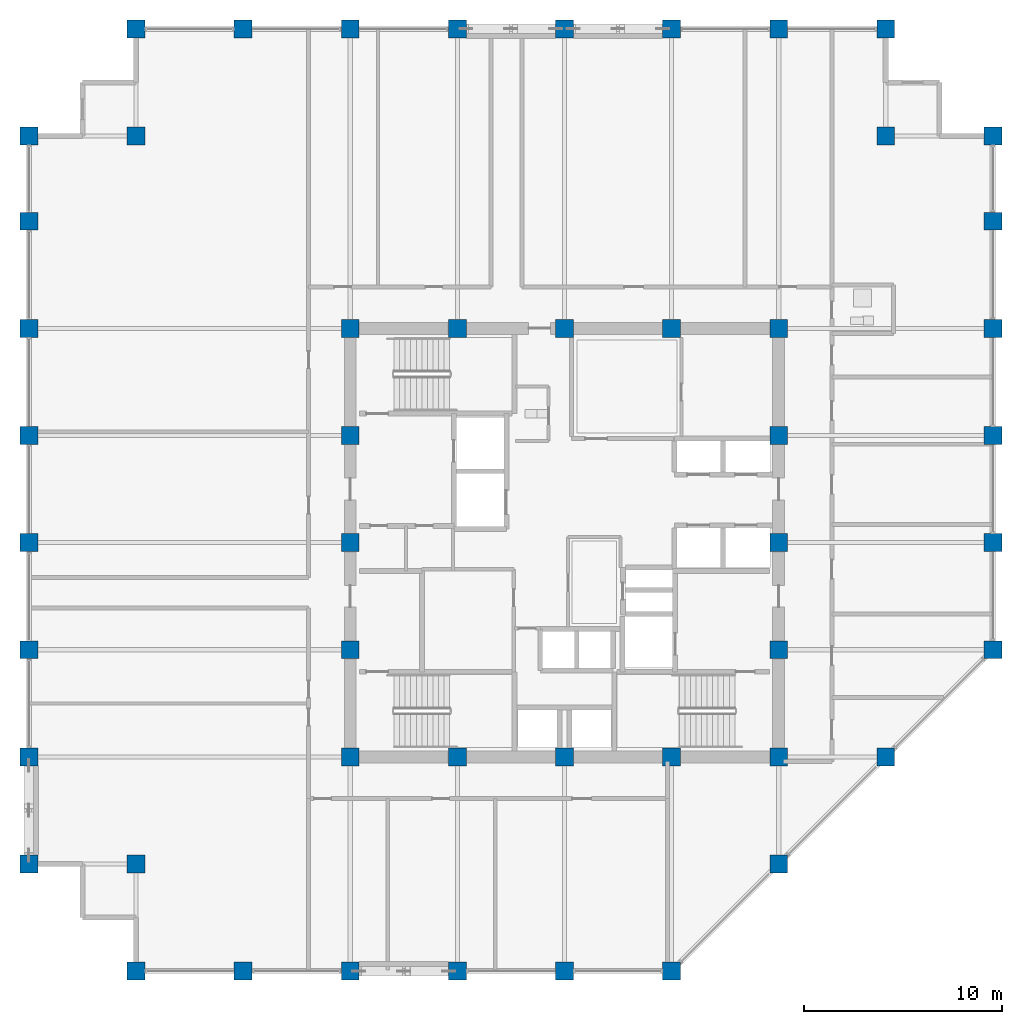
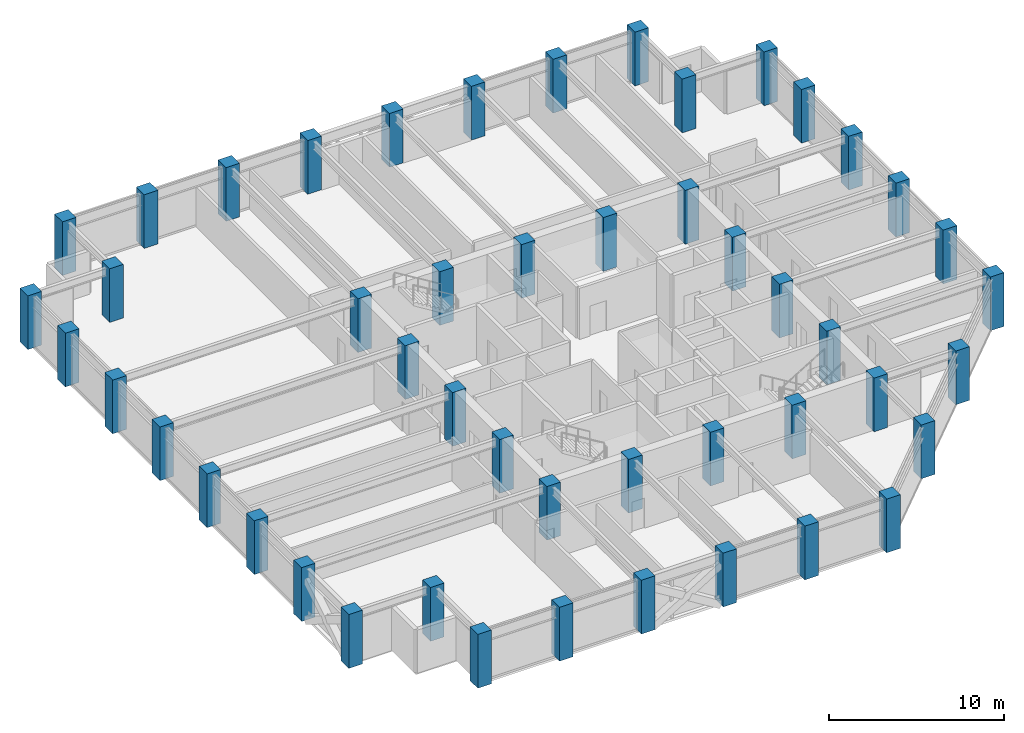
# One storey, part 1 of 32: 49 columns.
"""IFC4 building model written with IfcOpenShell, lengths in metres."""

from ifc_helpers import new_model, si_unit, direction, frame, origin, origin_2d, place, context, subcontext, project, spatial, rectangle, extrude, material, material_profile, profile_set, type_object, element, save


model = new_model("IFC4")

# Units and contexts
model_context = context("Model", 3, precision=1e-05, world=origin(), true_north=direction((0.0, 1.0)))
body_context = subcontext(model_context, "Body", "Model", "MODEL_VIEW")
ifc_project = project(units=[si_unit("LENGTHUNIT", "METRE"), si_unit("AREAUNIT", "SQUARE_METRE"), si_unit("VOLUMEUNIT", "CUBIC_METRE"), si_unit("PLANEANGLEUNIT", "RADIAN"), si_unit("MASSUNIT", "GRAM", prefix="KILO")], contexts=[model_context])

# Site, building, storey
site_placement = place(None, origin())
site = spatial("IfcSite", under=ifc_project, at=site_placement, CompositionType="ELEMENT")
building_placement = place(site_placement, origin())
building = spatial("IfcBuilding", under=site, at=building_placement, Name="Surkhivell Harbour Commons", CompositionType="ELEMENT")
storey_placement = place(building_placement, frame((0.0, 0.0, 208.5)))
storey = spatial("IfcBuildingStorey", under=building, at=storey_placement, Name="L54", CompositionType="ELEMENT", Elevation=208.5)

# Columns
ifc_material = material(Name="Concrete C60/75", Category="concrete")
ifc_material_profile = material_profile(ifc_material, rectangle(XDim=0.89990234375, YDim=0.89990234375, at=origin_2d()), Name="RC-COL-900x900")
ifc_profile_set = profile_set([ifc_material_profile], Name="Concrete C60/75")
column_type = type_object("IfcColumnType", Name="COL-TUBE-Z3A", PredefinedType="COLUMN", material=ifc_profile_set)
for number, where, z_axis, x_axis, name in (
    (1, (-27.0, -16.199951171875, 0.0), (0.0, 0.0, 1.0), (1.0, 0.0, 0.0), "L54 Column CT-3A (-27.0,-16.2)"),
    (2, (-27.0, -10.800048828125, 0.0), (0.0, 0.0, 1.0), (1.0, 0.0, 0.0), "L54 Column CT-3A (-27.0,-10.8)"),
    (3, (-27.0, -5.39990234375, 0.0), (0.0, 0.0, 1.0), (1.0, 0.0, 0.0), "L54 Column CT-3A (-27.0,-5.4)"),
    (4, (-27.0, 0.0, 0.0), (0.0, 0.0, 1.0), (1.0, 0.0, 0.0), "L54 Column CT-3A (-27.0,0.0)"),
    (5, (-27.0, 5.39990234375, 0.0), (0.0, 0.0, 1.0), (1.0, 0.0, 0.0), "L54 Column CT-3A (-27.0,5.4)"),
    (6, (-27.0, 10.800048828125, 0.0), (0.0, 0.0, 1.0), (1.0, 0.0, 0.0), "L54 Column CT-3A (-27.0,10.8)"),
    (7, (-27.0, 16.199951171875, 0.0), (0.0, 0.0, 1.0), (1.0, 0.0, 0.0), "L54 Column CT-3A (-27.0,16.2)"),
    (8, (-27.0, 20.5, 0.0), (0.0, 0.0, 1.0), (1.0, 0.0, 0.0), "L54 Column CT-3A (-27.0,20.5)"),
    (9, (-21.60009765625, -21.60009765625, 0.0), (0.0, 0.0, 1.0), (1.0, 0.0, 0.0), "L54 Column CT-3A (-21.6,-21.6)"),
    (10, (-21.60009765625, -16.199951171875, 0.0), (0.0, 0.0, 1.0), (1.0, 0.0, 0.0), "L54 Column CT-3A (-21.6,-16.2)"),
    (11, (-21.60009765625, 20.5, 0.0), (0.0, 0.0, 1.0), (1.0, 0.0, 0.0), "L54 Column CT-3A (-21.6,20.5)"),
    (12, (-21.60009765625, 25.89990234375, 0.0), (0.0, 0.0, 1.0), (1.0, 0.0, 0.0), "L54 Column CT-3A (-21.6,25.9)"),
    (13, (-16.199951171875, -21.60009765625, 0.0), (0.0, 0.0, 1.0), (1.0, 0.0, 0.0), "L54 Column CT-3A (-16.2,-21.6)"),
    (14, (-16.199951171875, 25.89990234375, 0.0), (0.0, 0.0, 1.0), (1.0, 0.0, 0.0), "L54 Column CT-3A (-16.2,25.9)"),
    (15, (-10.800048828125, -21.60009765625, 0.0), (0.0, 0.0, 1.0), (1.0, 0.0, 0.0), "L54 Column CT-3A (-10.8,-21.6)"),
    (16, (-10.800048828125, -10.800048828125, 0.0), (0.0, 0.0, 1.0), (1.0, 0.0, 0.0), "L54 Column CT-3A (-10.8,-10.8)"),
    (17, (-10.800048828125, -5.39990234375, 0.0), (0.0, 0.0, 1.0), (1.0, 0.0, 0.0), "L54 Column CT-3A (-10.8,-5.4)"),
    (18, (-10.800048828125, 0.0, 0.0), (0.0, 0.0, 1.0), (1.0, 0.0, 0.0), "L54 Column CT-3A (-10.8,0.0)"),
    (19, (-10.800048828125, 5.39990234375, 0.0), (0.0, 0.0, 1.0), (1.0, 0.0, 0.0), "L54 Column CT-3A (-10.8,5.4)"),
    (20, (-10.800048828125, 10.800048828125, 0.0), (0.0, 0.0, 1.0), (1.0, 0.0, 0.0), "L54 Column CT-3A (-10.8,10.8)"),
    (21, (-10.800048828125, 25.89990234375, 0.0), (0.0, 0.0, 1.0), (1.0, 0.0, 0.0), "L54 Column CT-3A (-10.8,25.9)"),
    (22, (-5.39990234375, -21.60009765625, 0.0), (0.0, 0.0, 1.0), (1.0, 0.0, 0.0), "L54 Column CT-3A (-5.4,-21.6)"),
    (23, (-5.39990234375, -10.800048828125, 0.0), (0.0, 0.0, 1.0), (1.0, 0.0, 0.0), "L54 Column CT-3A (-5.4,-10.8)"),
    (24, (-5.39990234375, 10.800048828125, 0.0), (0.0, 0.0, 1.0), (1.0, 0.0, 0.0), "L54 Column CT-3A (-5.4,10.8)"),
    (25, (-5.39990234375, 25.89990234375, 0.0), (0.0, 0.0, 1.0), (1.0, 0.0, 0.0), "L54 Column CT-3A (-5.4,25.9)"),
    (26, (0.0, -21.60009765625, 0.0), (0.0, 0.0, 1.0), (1.0, 0.0, 0.0), "L54 Column CT-3A (-0.0,-21.6)"),
    (27, (0.0, -10.800048828125, 0.0), (0.0, 0.0, 1.0), (1.0, 0.0, 0.0), "L54 Column CT-3A (0.0,-10.8)"),
    (28, (0.0, 10.800048828125, 0.0), (0.0, 0.0, 1.0), (1.0, 0.0, 0.0), "L54 Column CT-3A (0.0,10.8)"),
    (29, (0.0, 25.89990234375, 0.0), (0.0, 0.0, 1.0), (1.0, 0.0, 0.0), "L54 Column CT-3A (-0.0,25.9)"),
    (30, (5.39990234375, -21.60009765625, 0.0), (0.0, 0.0, 1.0), (1.0, 0.0, 0.0), "L54 Column CT-3A (5.4,-21.6)"),
    (31, (5.39990234375, -10.800048828125, 0.0), (0.0, 0.0, 1.0), (1.0, 0.0, 0.0), "L54 Column CT-3A (5.4,-10.8)"),
    (32, (5.39990234375, 10.800048828125, 0.0), (0.0, 0.0, 1.0), (1.0, 0.0, 0.0), "L54 Column CT-3A (5.4,10.8)"),
    (33, (5.39990234375, 25.89990234375, 0.0), (0.0, 0.0, 1.0), (1.0, 0.0, 0.0), "L54 Column CT-3A (5.4,25.9)"),
    (34, (10.800048828125, -16.199951171875, 0.0), (0.0, 0.0, 1.0), (1.0, 0.0, 0.0), "L54 Column CT-3A (10.8,-16.2)"),
    (35, (10.800048828125, -10.800048828125, 0.0), (0.0, 0.0, 1.0), (1.0, 0.0, 0.0), "L54 Column CT-3A (10.8,-10.8)"),
    (36, (10.800048828125, -5.39990234375, 0.0), (0.0, 0.0, 1.0), (1.0, 0.0, 0.0), "L54 Column CT-3A (10.8,-5.4)"),
    (37, (10.800048828125, 0.0, 0.0), (0.0, 0.0, 1.0), (1.0, 0.0, 0.0), "L54 Column CT-3A (10.8,0.0)"),
    (38, (10.800048828125, 5.39990234375, 0.0), (0.0, 0.0, 1.0), (1.0, 0.0, 0.0), "L54 Column CT-3A (10.8,5.4)"),
    (39, (10.800048828125, 10.800048828125, 0.0), (0.0, 0.0, 1.0), (1.0, 0.0, 0.0), "L54 Column CT-3A (10.8,10.8)"),
    (40, (10.800048828125, 25.89990234375, 0.0), (0.0, 0.0, 1.0), (1.0, 0.0, 0.0), "L54 Column CT-3A (10.8,25.9)"),
    (41, (16.199951171875, -10.800048828125, 0.0), (0.0, 0.0, 1.0), (1.0, 0.0, 0.0), "L54 Column CT-3A (16.2,-10.8)"),
    (42, (16.199951171875, 20.5, 0.0), (0.0, 0.0, 1.0), (1.0, 0.0, 0.0), "L54 Column CT-3A (16.2,20.5)"),
    (43, (16.199951171875, 25.89990234375, 0.0), (0.0, 0.0, 1.0), (1.0, 0.0, 0.0), "L54 Column CT-3A (16.2,25.9)"),
    (44, (21.60009765625, -5.39990234375, 0.0), (0.0, 0.0, 1.0), (1.0, 0.0, 0.0), "L54 Column CT-3A (21.6,-5.4)"),
    (45, (21.60009765625, 0.0, 0.0), (0.0, 0.0, 1.0), (1.0, 0.0, 0.0), "L54 Column CT-3A (21.6,0.0)"),
    (46, (21.60009765625, 5.39990234375, 0.0), (0.0, 0.0, 1.0), (1.0, 0.0, 0.0), "L54 Column CT-3A (21.6,5.4)"),
    (47, (21.60009765625, 10.800048828125, 0.0), (0.0, 0.0, 1.0), (1.0, 0.0, 0.0), "L54 Column CT-3A (21.6,10.8)"),
    (48, (21.60009765625, 16.199951171875, 0.0), (0.0, 0.0, 1.0), (1.0, 0.0, 0.0), "L54 Column CT-3A (21.6,16.2)"),
    (49, (21.60009765625, 20.5, 0.0), (0.0, 0.0, 1.0), (1.0, 0.0, 0.0), "L54 Column CT-3A (21.6,20.5)"),
):
    element("IfcColumn", number, at=place(storey_placement, frame(where, z_axis=z_axis, x_axis=x_axis)), inside=storey, type_object=column_type, Name=name, PredefinedType="COLUMN", context=body_context, shape_type="SweptSolid", body=[
        extrude(rectangle(XDim=0.89990234375, YDim=0.89990234375, at=origin_2d()), origin(), (0.0, 0.0, 1.0), 3.75),
    ])

save(model, "model.ifc")
